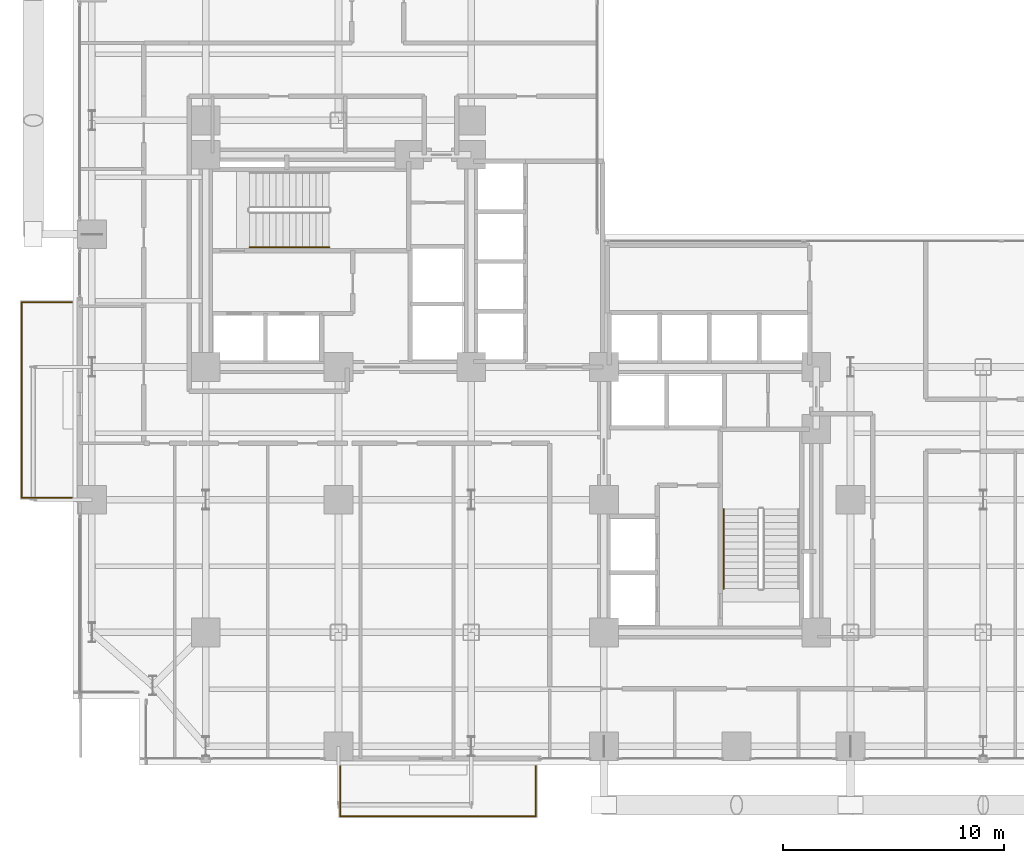
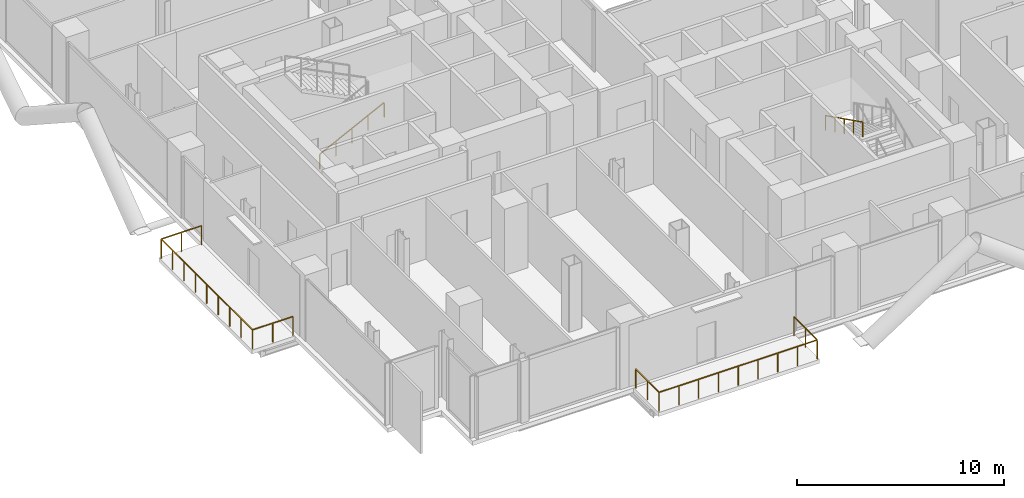
# One storey, part 24 of 25: 4 railings.
"""IFC4 building model written with IfcOpenShell, lengths in metres."""

from ifc_helpers import new_model, si_unit, direction, frame, origin, origin_2d, place, context, subcontext, project, spatial, rectangle, extrude, material, type_object, element, save


model = new_model("IFC4")

# Units and contexts
model_context = context("Model", 3, precision=1e-05, world=origin(), true_north=direction((0.0, 1.0)))
body_context = subcontext(model_context, "Body", "Model", "MODEL_VIEW")
ifc_project = project(units=[si_unit("LENGTHUNIT", "METRE"), si_unit("AREAUNIT", "SQUARE_METRE"), si_unit("VOLUMEUNIT", "CUBIC_METRE"), si_unit("PLANEANGLEUNIT", "RADIAN"), si_unit("MASSUNIT", "GRAM", prefix="KILO"), si_unit("THERMODYNAMICTEMPERATUREUNIT", "KELVIN"), si_unit("POWERUNIT", "WATT")], contexts=[model_context])

# Site, building, storey
site_placement = place(None, origin())
site = spatial("IfcSite", under=ifc_project, at=site_placement, CompositionType="ELEMENT")
building_placement = place(site_placement, origin())
building = spatial("IfcBuilding", under=site, at=building_placement, Name="Svarakhadi Broadcast Tower", CompositionType="ELEMENT")
storey_placement = place(building_placement, frame((0.0, 0.0, 51.89990234375)))
storey = spatial("IfcBuildingStorey", under=building, at=storey_placement, Name="L11", CompositionType="ELEMENT", Elevation=51.89990234375)

# Railings
ifc_material_1 = material(Name="Laminated Structural SentryGlas Balustrade 25.5 mm", Category="glass")
railing_type_1 = type_object("IfcRailingType", Name="Guard_Balcony_GR01", PredefinedType="BALUSTRADE", material=ifc_material_1)
railing_1_placement = place(storey_placement, frame((12.080078125, -0.06005859375, 0.0)))
element("IfcRailing", 1, at=railing_1_placement, inside=storey, type_object=railing_type_1, Name="L11 South Tree Balcony Guard GR-05", PredefinedType="BALUSTRADE", context=body_context, shape_type="SweptSolid", body=[
    extrude(rectangle(XDim=0.048095703125, YDim=0.048095703125, at=origin_2d()), frame((0.0, 0.0, 1.1259765625), z_axis=(0.0, -1.0, 0.0), x_axis=(1.0, 0.0, 0.0)), (0.0, 0.0, 1.0), 2.260009765625),
    extrude(rectangle(XDim=0.048095703125, YDim=0.048095703125, at=origin_2d()), frame((0.0, -2.260009765625, 1.1259765625), z_axis=(1.0, 0.0, 0.0), x_axis=(0.0, 1.0, 0.0)), (0.0, 0.0, 1.0), 8.83984375),
    extrude(rectangle(XDim=0.048095703125, YDim=0.048095703125, at=origin_2d()), frame((8.83984375, -2.260009765625, 1.1259765625), z_axis=(0.0, 1.0, 0.0), x_axis=(-1.0, 0.0, 0.0)), (0.0, 0.0, 1.0), 2.260009765625),
    extrude(rectangle(XDim=0.0419921875, YDim=0.0419921875, at=origin_2d()), origin(), (0.0, 0.0, 1.0), 1.101806640625),
    extrude(rectangle(XDim=0.0419921875, YDim=0.0419921875, at=origin_2d()), frame((0.0, -1.1298828125, 0.0)), (0.0, 0.0, 1.0), 1.101806640625),
    extrude(rectangle(XDim=0.0419921875, YDim=0.0419921875, at=origin_2d()), frame((0.0, -2.260009765625, 0.0)), (0.0, 0.0, 1.0), 1.101806640625),
    extrude(rectangle(XDim=0.0419921875, YDim=0.0419921875, at=origin_2d()), frame((1.10498046875, -2.260009765625, 0.0)), (0.0, 0.0, 1.0), 1.101806640625),
    extrude(rectangle(XDim=0.0419921875, YDim=0.0419921875, at=origin_2d()), frame((2.2099609375, -2.260009765625, 0.0)), (0.0, 0.0, 1.0), 1.101806640625),
    extrude(rectangle(XDim=0.0419921875, YDim=0.0419921875, at=origin_2d()), frame((3.31494140625, -2.260009765625, 0.0)), (0.0, 0.0, 1.0), 1.101806640625),
    extrude(rectangle(XDim=0.0419921875, YDim=0.0419921875, at=origin_2d()), frame((4.419921875, -2.260009765625, 0.0)), (0.0, 0.0, 1.0), 1.101806640625),
    extrude(rectangle(XDim=0.0419921875, YDim=0.0419921875, at=origin_2d()), frame((5.52490234375, -2.260009765625, 0.0)), (0.0, 0.0, 1.0), 1.101806640625),
    extrude(rectangle(XDim=0.0419921875, YDim=0.0419921875, at=origin_2d()), frame((6.6298828125, -2.260009765625, 0.0)), (0.0, 0.0, 1.0), 1.101806640625),
    extrude(rectangle(XDim=0.0419921875, YDim=0.0419921875, at=origin_2d()), frame((7.73486328125, -2.260009765625, 0.0)), (0.0, 0.0, 1.0), 1.101806640625),
    extrude(rectangle(XDim=0.0419921875, YDim=0.0419921875, at=origin_2d()), frame((8.83984375, -2.260009765625, 0.0)), (0.0, 0.0, 1.0), 1.101806640625),
    extrude(rectangle(XDim=0.0419921875, YDim=0.0419921875, at=origin_2d()), frame((8.83984375, -1.1298828125, 0.0)), (0.0, 0.0, 1.0), 1.101806640625),
    extrude(rectangle(XDim=0.0419921875, YDim=0.0419921875, at=origin_2d()), frame((8.83984375, 0.0, 0.0)), (0.0, 0.0, 1.0), 1.101806640625),
])
railing_2_placement = place(storey_placement, frame((-0.06005859375, 12.080078125, 0.0)))
element("IfcRailing", 2, at=railing_2_placement, inside=storey, type_object=railing_type_1, Name="L11 West Tree Balcony Guard GR-05", PredefinedType="BALUSTRADE", context=body_context, shape_type="SweptSolid", body=[
    extrude(rectangle(XDim=0.048095703125, YDim=0.048095703125, at=origin_2d()), frame((0.0, 0.0, 1.1259765625), z_axis=(-1.0, 0.0, 0.0), x_axis=(0.0, -1.0, 0.0)), (0.0, 0.0, 1.0), 2.260009765625),
    extrude(rectangle(XDim=0.048095703125, YDim=0.048095703125, at=origin_2d()), frame((-2.260009765625, 0.0, 1.1259765625), z_axis=(0.0, 1.0, 0.0), x_axis=(-1.0, 0.0, 0.0)), (0.0, 0.0, 1.0), 8.83984375),
    extrude(rectangle(XDim=0.048095703125, YDim=0.048095703125, at=origin_2d()), frame((-2.260009765625, 8.83984375, 1.1259765625), z_axis=(1.0, 0.0, 0.0), x_axis=(0.0, 1.0, 0.0)), (0.0, 0.0, 1.0), 2.260009765625),
    extrude(rectangle(XDim=0.0419921875, YDim=0.0419921875, at=origin_2d()), origin(), (0.0, 0.0, 1.0), 1.101806640625),
    extrude(rectangle(XDim=0.0419921875, YDim=0.0419921875, at=origin_2d()), frame((-1.1298828125, 0.0, 0.0)), (0.0, 0.0, 1.0), 1.101806640625),
    extrude(rectangle(XDim=0.0419921875, YDim=0.0419921875, at=origin_2d()), frame((-2.260009765625, 0.0, 0.0)), (0.0, 0.0, 1.0), 1.101806640625),
    extrude(rectangle(XDim=0.0419921875, YDim=0.0419921875, at=origin_2d()), frame((-2.260009765625, 1.10498046875, 0.0)), (0.0, 0.0, 1.0), 1.101806640625),
    extrude(rectangle(XDim=0.0419921875, YDim=0.0419921875, at=origin_2d()), frame((-2.260009765625, 2.2099609375, 0.0)), (0.0, 0.0, 1.0), 1.101806640625),
    extrude(rectangle(XDim=0.0419921875, YDim=0.0419921875, at=origin_2d()), frame((-2.260009765625, 3.31494140625, 0.0)), (0.0, 0.0, 1.0), 1.101806640625),
    extrude(rectangle(XDim=0.0419921875, YDim=0.0419921875, at=origin_2d()), frame((-2.260009765625, 4.419921875, 0.0)), (0.0, 0.0, 1.0), 1.101806640625),
    extrude(rectangle(XDim=0.0419921875, YDim=0.0419921875, at=origin_2d()), frame((-2.260009765625, 5.52490234375, 0.0)), (0.0, 0.0, 1.0), 1.101806640625),
    extrude(rectangle(XDim=0.0419921875, YDim=0.0419921875, at=origin_2d()), frame((-2.260009765625, 6.6298828125, 0.0)), (0.0, 0.0, 1.0), 1.101806640625),
    extrude(rectangle(XDim=0.0419921875, YDim=0.0419921875, at=origin_2d()), frame((-2.260009765625, 7.73486328125, 0.0)), (0.0, 0.0, 1.0), 1.101806640625),
    extrude(rectangle(XDim=0.0419921875, YDim=0.0419921875, at=origin_2d()), frame((-2.260009765625, 8.83984375, 0.0)), (0.0, 0.0, 1.0), 1.101806640625),
    extrude(rectangle(XDim=0.0419921875, YDim=0.0419921875, at=origin_2d()), frame((-1.1298828125, 8.83984375, 0.0)), (0.0, 0.0, 1.0), 1.101806640625),
    extrude(rectangle(XDim=0.0419921875, YDim=0.0419921875, at=origin_2d()), frame((0.0, 8.83984375, 0.0)), (0.0, 0.0, 1.0), 1.101806640625),
])
ifc_material_2 = material(Name="Anodised Bronze Aluminium AA 6063-T6", Category="aluminium")
railing_type_2 = type_object("IfcRailingType", Name="Handrail_Stair_HR01", PredefinedType="HANDRAIL", material=ifc_material_2)
railing_3_placement = place(storey_placement, frame((7.97998046875, 23.409912109375, 0.150146484375)))
element("IfcRailing", 3, at=railing_3_placement, inside=storey, type_object=railing_type_2, Name="L11 ST-01 stair handrail 1", PredefinedType="HANDRAIL", context=body_context, shape_type="SweptSolid", body=[
    extrude(rectangle(XDim=0.048095703125, YDim=0.048095703125, at=origin_2d()), frame((0.0, 0.0, 0.8759765625), z_axis=(0.894427191, 0.0, 0.4472135955), x_axis=(0.0, 1.0, 0.0)), (0.0, 0.0, 1.0), 4.025146484375),
    extrude(rectangle(XDim=0.0419921875, YDim=0.0419921875, at=origin_2d()), origin(), (0.0, 0.0, 1.0), 0.851806640625),
    extrude(rectangle(XDim=0.0419921875, YDim=0.0419921875, at=origin_2d()), frame((0.89990234375, 0.0, 0.449951171875)), (0.0, 0.0, 1.0), 0.851806640625),
    extrude(rectangle(XDim=0.0419921875, YDim=0.0419921875, at=origin_2d()), frame((1.800048828125, 0.0, 0.89990234375)), (0.0, 0.0, 1.0), 0.851806640625),
    extrude(rectangle(XDim=0.0419921875, YDim=0.0419921875, at=origin_2d()), frame((2.7001953125, 0.0, 1.35009765625)), (0.0, 0.0, 1.0), 0.851806640625),
    extrude(rectangle(XDim=0.0419921875, YDim=0.0419921875, at=origin_2d()), frame((3.60009765625, 0.0, 1.800048828125)), (0.0, 0.0, 1.0), 0.851806640625),
])
railing_4_placement = place(storey_placement, frame((29.409912109375, 11.580078125, 2.10009765625)))
element("IfcRailing", 4, at=railing_4_placement, inside=storey, type_object=railing_type_2, Name="L11 ST-02 stair handrail 2", PredefinedType="HANDRAIL", context=body_context, shape_type="SweptSolid", body=[
    extrude(rectangle(XDim=0.048095703125, YDim=0.048095703125, at=origin_2d()), frame((0.0, 0.0, 0.8759765625), z_axis=(0.0, -0.894427191, 0.4472135955), x_axis=(1.0, 0.0, 0.0)), (0.0, 0.0, 1.0), 4.025146484375),
    extrude(rectangle(XDim=0.0419921875, YDim=0.0419921875, at=origin_2d()), origin(), (0.0, 0.0, 1.0), 0.851806640625),
    extrude(rectangle(XDim=0.0419921875, YDim=0.0419921875, at=origin_2d()), frame((0.0, -0.89990234375, 0.449951171875)), (0.0, 0.0, 1.0), 0.851806640625),
    extrude(rectangle(XDim=0.0419921875, YDim=0.0419921875, at=origin_2d()), frame((0.0, -1.800048828125, 0.89990234375)), (0.0, 0.0, 1.0), 0.851806640625),
    extrude(rectangle(XDim=0.0419921875, YDim=0.0419921875, at=origin_2d()), frame((0.0, -2.7001953125, 1.35009765625)), (0.0, 0.0, 1.0), 0.851806640625),
    extrude(rectangle(XDim=0.0419921875, YDim=0.0419921875, at=origin_2d()), frame((0.0, -3.60009765625, 1.800048828125)), (0.0, 0.0, 1.0), 0.851806640625),
])

save(model, "model.ifc")
